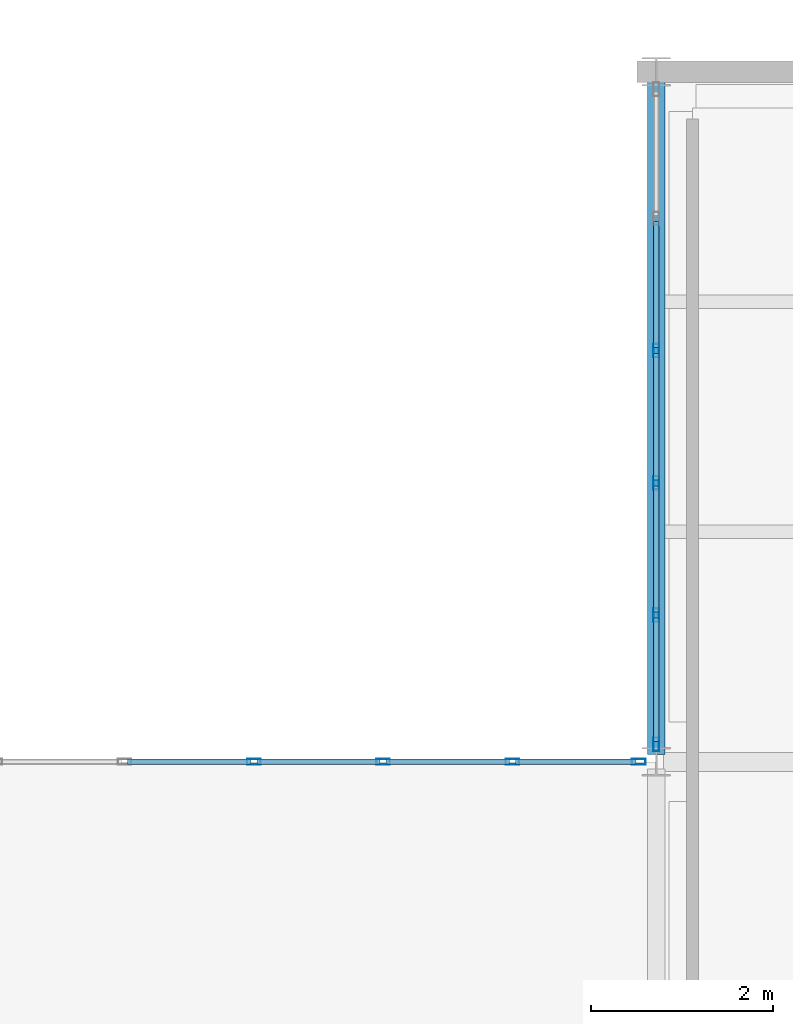
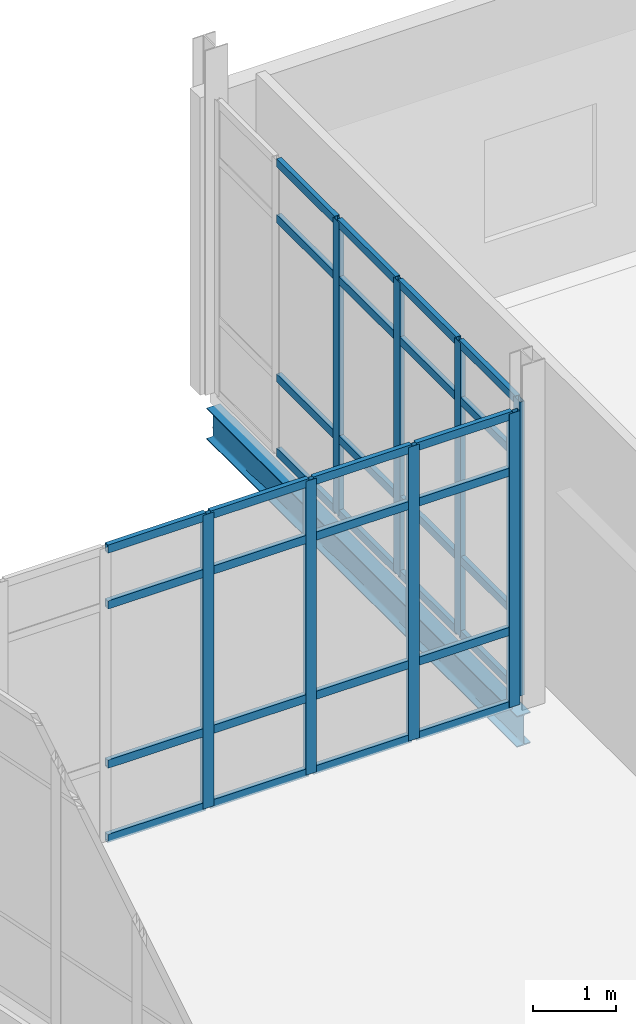
# One storey, part 99 of 161: 40 members, 1 beam, 2 elements without a shape of their own.
"""IFC4 building model written with IfcOpenShell, lengths in metres."""

from ifc_helpers import new_model, si_unit, direction, frame, origin, origin_2d, place, context, subcontext, project, spatial, hollow_rectangle, i_section, extrude, material, material_profile, profile_set, type_object, element, aggregate, save


model = new_model("IFC4")

# Units and contexts
model_context = context("Model", 3, precision=1e-05, world=origin(), true_north=direction((0.0, 1.0)))
body_context = subcontext(model_context, "Body", "Model", "MODEL_VIEW")
ifc_project = project(units=[si_unit("LENGTHUNIT", "METRE"), si_unit("AREAUNIT", "SQUARE_METRE"), si_unit("VOLUMEUNIT", "CUBIC_METRE"), si_unit("PLANEANGLEUNIT", "RADIAN"), si_unit("MASSUNIT", "GRAM", prefix="KILO")], contexts=[model_context])

# Site, building, storey
site_placement = place(None, origin())
site = spatial("IfcSite", under=ifc_project, at=site_placement, CompositionType="ELEMENT")
building_placement = place(site_placement, origin())
building = spatial("IfcBuilding", under=site, at=building_placement, Name="Caisbarro Railhouse Central Library", CompositionType="ELEMENT")
storey_placement = place(building_placement, origin())
storey = spatial("IfcBuildingStorey", under=building, at=storey_placement, Name="L00", CompositionType="ELEMENT", Elevation=0.0)

# Beam
ifc_material_1 = material(Name="Steel ASTM A572 Grade 50", Category="steel")
ifc_material_profile_1 = material_profile(ifc_material_1, i_section(OverallWidth=0.18994140625, OverallDepth=0.45703125, WebThickness=0.009033203125, FlangeThickness=0.014404296875, FilletRadius=0.01806640625, at=origin_2d()), Name="W460X74.0")
ifc_profile_set_1 = profile_set([ifc_material_profile_1], Name="Steel ASTM A572 Grade 50")
beam_type = type_object("IfcBeamType", Name="BM-G08", PredefinedType="BEAM", material=ifc_profile_set_1)
beam_placement = place(storey_placement, frame((117.0, 106.47998046875, -0.478515625), z_axis=(0.0, 1.0, 0.0), x_axis=(-1.0, 0.0, 0.0)))
element("IfcBeam", 1, at=beam_placement, inside=storey, type_object=beam_type, Name="G08 beam L00 #528", PredefinedType="BEAM", context=body_context, shape_type="SweptSolid", body=[
    extrude(i_section(OverallWidth=0.18994140625, OverallDepth=0.45703125, WebThickness=0.009033203125, FlangeThickness=0.014404296875, FilletRadius=0.01806640625, at=origin_2d()), origin(), (0.0, 0.0, 1.0), 7.43994140625),
])

# Curtain wall, members
ifc_material_2 = material(Name="Anodised architectural aluminium", Category="aluminium")
curtain_wall_type = type_object("IfcCurtainWallType", Name="CW-CW03", PredefinedType="NOTDEFINED", material=ifc_material_2)
curtain_wall_1_placement = place(storey_placement, origin())
curtain_wall_1 = element("IfcCurtainWall", 2, at=curtain_wall_1_placement, inside=storey, type_object=curtain_wall_type, Name="CW03 curtain wall L00 #101", PredefinedType="NOTDEFINED")
ifc_material_profile_2 = material_profile(ifc_material_2, hollow_rectangle(XDim=0.06494140625, YDim=0.14990234375, WallThickness=0.00390625, at=origin_2d()), Name="ALU-MUL-65X150")
ifc_profile_set_2 = profile_set([ifc_material_profile_2], Name="Anodised architectural aluminium")
member_type_1 = type_object("IfcMemberType", Name="CWM-M02", PredefinedType="MULLION", material=ifc_profile_set_2)
member_1_placement = place(storey_placement, frame((112.568115234375, 106.39990234375, 0.0), z_axis=(0.0, 0.0, 1.0), x_axis=(0.0, 1.0, 0.0)))
member_1 = element("IfcMember", 3, at=member_1_placement, type_object=member_type_1, Name="CW03 mullion 4", PredefinedType="MULLION", context=body_context, shape_type="SweptSolid", body=[
    extrude(hollow_rectangle(XDim=0.06494140625, YDim=0.14990234375, WallThickness=0.00390625, at=origin_2d()), origin(), (0.0, 0.0, 1.0), 4.300048828125),
])
member_2_placement = place(storey_placement, frame((113.991943359375, 106.39990234375, 0.0), z_axis=(0.0, 0.0, 1.0), x_axis=(0.0, 1.0, 0.0)))
member_2 = element("IfcMember", 4, at=member_2_placement, type_object=member_type_1, Name="CW03 mullion 5", PredefinedType="MULLION", context=body_context, shape_type="SweptSolid", body=[
    extrude(hollow_rectangle(XDim=0.06494140625, YDim=0.14990234375, WallThickness=0.00390625, at=origin_2d()), origin(), (0.0, 0.0, 1.0), 4.300048828125),
])
member_3_placement = place(storey_placement, frame((115.416015625, 106.39990234375, 0.0), z_axis=(0.0, 0.0, 1.0), x_axis=(0.0, 1.0, 0.0)))
member_3 = element("IfcMember", 5, at=member_3_placement, type_object=member_type_1, Name="CW03 mullion 6", PredefinedType="MULLION", context=body_context, shape_type="SweptSolid", body=[
    extrude(hollow_rectangle(XDim=0.06494140625, YDim=0.14990234375, WallThickness=0.00390625, at=origin_2d()), origin(), (0.0, 0.0, 1.0), 4.300048828125),
])
member_4_placement = place(storey_placement, frame((116.8076171875, 106.39990234375, 0.0), z_axis=(0.0, 0.0, 1.0), x_axis=(0.0, 1.0, 0.0)))
member_4 = element("IfcMember", 6, at=member_4_placement, type_object=member_type_1, Name="CW03 mullion 7", PredefinedType="MULLION", context=body_context, shape_type="SweptSolid", body=[
    extrude(hollow_rectangle(XDim=0.06494140625, YDim=0.14990234375, WallThickness=0.00390625, at=origin_2d()), origin(), (0.0, 0.0, 1.0), 4.300048828125),
])

curtain_wall_2_placement = place(storey_placement, origin())
curtain_wall_2 = element("IfcCurtainWall", 7, at=curtain_wall_2_placement, inside=storey, type_object=curtain_wall_type, Name="CW03 curtain wall L00 #102", PredefinedType="NOTDEFINED")
member_5_placement = place(storey_placement, frame((117.0, 106.592529296875, 0.0), z_axis=(0.0, 0.0, 1.0), x_axis=(-1.0, 0.0, 0.0)))
member_5 = element("IfcMember", 8, at=member_5_placement, type_object=member_type_1, Name="CW03 mullion 1", PredefinedType="MULLION", context=body_context, shape_type="SweptSolid", body=[
    extrude(hollow_rectangle(XDim=0.06494140625, YDim=0.14990234375, WallThickness=0.00390625, at=origin_2d()), origin(), (0.0, 0.0, 1.0), 4.300048828125),
])
member_6_placement = place(storey_placement, frame((117.0, 108.01611328125, 0.0), z_axis=(0.0, 0.0, 1.0), x_axis=(-1.0, 0.0, 0.0)))
member_6 = element("IfcMember", 9, at=member_6_placement, type_object=member_type_1, Name="CW03 mullion 2", PredefinedType="MULLION", context=body_context, shape_type="SweptSolid", body=[
    extrude(hollow_rectangle(XDim=0.06494140625, YDim=0.14990234375, WallThickness=0.00390625, at=origin_2d()), origin(), (0.0, 0.0, 1.0), 4.300048828125),
])
member_7_placement = place(storey_placement, frame((117.0, 109.471923828125, 0.0), z_axis=(0.0, 0.0, 1.0), x_axis=(-1.0, 0.0, 0.0)))
member_7 = element("IfcMember", 10, at=member_7_placement, type_object=member_type_1, Name="CW03 mullion 3", PredefinedType="MULLION", context=body_context, shape_type="SweptSolid", body=[
    extrude(hollow_rectangle(XDim=0.06494140625, YDim=0.14990234375, WallThickness=0.00390625, at=origin_2d()), origin(), (0.0, 0.0, 1.0), 4.300048828125),
])
member_8_placement = place(storey_placement, frame((117.0, 110.927978515625, 0.0), z_axis=(0.0, 0.0, 1.0), x_axis=(-1.0, 0.0, 0.0)))
member_8 = element("IfcMember", 11, at=member_8_placement, type_object=member_type_1, Name="CW03 mullion 4", PredefinedType="MULLION", context=body_context, shape_type="SweptSolid", body=[
    extrude(hollow_rectangle(XDim=0.06494140625, YDim=0.14990234375, WallThickness=0.00390625, at=origin_2d()), origin(), (0.0, 0.0, 1.0), 4.300048828125),
])

# Member
ifc_material_profile_3 = material_profile(ifc_material_2, hollow_rectangle(XDim=0.06494140625, YDim=0.1201171875, WallThickness=0.00341796875, at=origin_2d()), Name="ALU-TRN-65X120")
ifc_profile_set_3 = profile_set([ifc_material_profile_3], Name="Anodised architectural aluminium")
member_type_2 = type_object("IfcMemberType", Name="CWT-T02", PredefinedType="USERDEFINED", material=ifc_profile_set_3)
member_9_placement = place(storey_placement, frame((111.176513671875, 106.39990234375, 0.032470703125), z_axis=(1.0, 0.0, 0.0), x_axis=(0.0, 1.0, 0.0)))
member_9 = element("IfcMember", 12, at=member_9_placement, type_object=member_type_2, Name="CW03 transom 3.1", ObjectType="TRANSOM", PredefinedType="USERDEFINED", context=body_context, shape_type="SweptSolid", body=[
    extrude(hollow_rectangle(XDim=0.06494140625, YDim=0.1201171875, WallThickness=0.00341796875, at=origin_2d()), origin(), (0.0, 0.0, 1.0), 1.35888671875),
])

member_10_placement = place(storey_placement, frame((111.176513671875, 106.39990234375, 1.1201171875), z_axis=(1.0, 0.0, 0.0), x_axis=(0.0, 1.0, 0.0)))
member_10 = element("IfcMember", 13, at=member_10_placement, type_object=member_type_2, Name="CW03 transom 3.2", ObjectType="TRANSOM", PredefinedType="USERDEFINED", context=body_context, shape_type="SweptSolid", body=[
    extrude(hollow_rectangle(XDim=0.06494140625, YDim=0.1201171875, WallThickness=0.00341796875, at=origin_2d()), origin(), (0.0, 0.0, 1.0), 1.35888671875),
])

member_11_placement = place(storey_placement, frame((111.176513671875, 106.39990234375, 3.449951171875), z_axis=(1.0, 0.0, 0.0), x_axis=(0.0, 1.0, 0.0)))
member_11 = element("IfcMember", 14, at=member_11_placement, type_object=member_type_2, Name="CW03 transom 3.3", ObjectType="TRANSOM", PredefinedType="USERDEFINED", context=body_context, shape_type="SweptSolid", body=[
    extrude(hollow_rectangle(XDim=0.06494140625, YDim=0.1201171875, WallThickness=0.00341796875, at=origin_2d()), origin(), (0.0, 0.0, 1.0), 1.35888671875),
])

member_12_placement = place(storey_placement, frame((111.176513671875, 106.39990234375, 4.267578125), z_axis=(1.0, 0.0, 0.0), x_axis=(0.0, 1.0, 0.0)))
member_12 = element("IfcMember", 15, at=member_12_placement, type_object=member_type_2, Name="CW03 transom 3.4", ObjectType="TRANSOM", PredefinedType="USERDEFINED", context=body_context, shape_type="SweptSolid", body=[
    extrude(hollow_rectangle(XDim=0.06494140625, YDim=0.1201171875, WallThickness=0.00341796875, at=origin_2d()), origin(), (0.0, 0.0, 1.0), 1.35888671875),
])

member_13_placement = place(storey_placement, frame((112.6005859375, 106.39990234375, 0.032470703125), z_axis=(1.0, 0.0, 0.0), x_axis=(0.0, 1.0, 0.0)))
member_13 = element("IfcMember", 16, at=member_13_placement, type_object=member_type_2, Name="CW03 transom 4.1", ObjectType="TRANSOM", PredefinedType="USERDEFINED", context=body_context, shape_type="SweptSolid", body=[
    extrude(hollow_rectangle(XDim=0.06494140625, YDim=0.1201171875, WallThickness=0.00341796875, at=origin_2d()), origin(), (0.0, 0.0, 1.0), 1.35888671875),
])

member_14_placement = place(storey_placement, frame((112.6005859375, 106.39990234375, 1.1201171875), z_axis=(1.0, 0.0, 0.0), x_axis=(0.0, 1.0, 0.0)))
member_14 = element("IfcMember", 17, at=member_14_placement, type_object=member_type_2, Name="CW03 transom 4.2", ObjectType="TRANSOM", PredefinedType="USERDEFINED", context=body_context, shape_type="SweptSolid", body=[
    extrude(hollow_rectangle(XDim=0.06494140625, YDim=0.1201171875, WallThickness=0.00341796875, at=origin_2d()), origin(), (0.0, 0.0, 1.0), 1.35888671875),
])

member_15_placement = place(storey_placement, frame((112.6005859375, 106.39990234375, 3.449951171875), z_axis=(1.0, 0.0, 0.0), x_axis=(0.0, 1.0, 0.0)))
member_15 = element("IfcMember", 18, at=member_15_placement, type_object=member_type_2, Name="CW03 transom 4.3", ObjectType="TRANSOM", PredefinedType="USERDEFINED", context=body_context, shape_type="SweptSolid", body=[
    extrude(hollow_rectangle(XDim=0.06494140625, YDim=0.1201171875, WallThickness=0.00341796875, at=origin_2d()), origin(), (0.0, 0.0, 1.0), 1.35888671875),
])

member_16_placement = place(storey_placement, frame((112.6005859375, 106.39990234375, 4.267578125), z_axis=(1.0, 0.0, 0.0), x_axis=(0.0, 1.0, 0.0)))
member_16 = element("IfcMember", 19, at=member_16_placement, type_object=member_type_2, Name="CW03 transom 4.4", ObjectType="TRANSOM", PredefinedType="USERDEFINED", context=body_context, shape_type="SweptSolid", body=[
    extrude(hollow_rectangle(XDim=0.06494140625, YDim=0.1201171875, WallThickness=0.00341796875, at=origin_2d()), origin(), (0.0, 0.0, 1.0), 1.35888671875),
])

member_17_placement = place(storey_placement, frame((114.0244140625, 106.39990234375, 0.032470703125), z_axis=(1.0, 0.0, 0.0), x_axis=(0.0, 1.0, 0.0)))
member_17 = element("IfcMember", 20, at=member_17_placement, type_object=member_type_2, Name="CW03 transom 5.1", ObjectType="TRANSOM", PredefinedType="USERDEFINED", context=body_context, shape_type="SweptSolid", body=[
    extrude(hollow_rectangle(XDim=0.06494140625, YDim=0.1201171875, WallThickness=0.00341796875, at=origin_2d()), origin(), (0.0, 0.0, 1.0), 1.359130859375),
])

member_18_placement = place(storey_placement, frame((114.0244140625, 106.39990234375, 1.1201171875), z_axis=(1.0, 0.0, 0.0), x_axis=(0.0, 1.0, 0.0)))
member_18 = element("IfcMember", 21, at=member_18_placement, type_object=member_type_2, Name="CW03 transom 5.2", ObjectType="TRANSOM", PredefinedType="USERDEFINED", context=body_context, shape_type="SweptSolid", body=[
    extrude(hollow_rectangle(XDim=0.06494140625, YDim=0.1201171875, WallThickness=0.00341796875, at=origin_2d()), origin(), (0.0, 0.0, 1.0), 1.359130859375),
])

member_19_placement = place(storey_placement, frame((114.0244140625, 106.39990234375, 3.449951171875), z_axis=(1.0, 0.0, 0.0), x_axis=(0.0, 1.0, 0.0)))
member_19 = element("IfcMember", 22, at=member_19_placement, type_object=member_type_2, Name="CW03 transom 5.3", ObjectType="TRANSOM", PredefinedType="USERDEFINED", context=body_context, shape_type="SweptSolid", body=[
    extrude(hollow_rectangle(XDim=0.06494140625, YDim=0.1201171875, WallThickness=0.00341796875, at=origin_2d()), origin(), (0.0, 0.0, 1.0), 1.359130859375),
])

member_20_placement = place(storey_placement, frame((114.0244140625, 106.39990234375, 4.267578125), z_axis=(1.0, 0.0, 0.0), x_axis=(0.0, 1.0, 0.0)))
member_20 = element("IfcMember", 23, at=member_20_placement, type_object=member_type_2, Name="CW03 transom 5.4", ObjectType="TRANSOM", PredefinedType="USERDEFINED", context=body_context, shape_type="SweptSolid", body=[
    extrude(hollow_rectangle(XDim=0.06494140625, YDim=0.1201171875, WallThickness=0.00341796875, at=origin_2d()), origin(), (0.0, 0.0, 1.0), 1.359130859375),
])

member_21_placement = place(storey_placement, frame((115.448486328125, 106.39990234375, 0.032470703125), z_axis=(1.0, 0.0, 0.0), x_axis=(0.0, 1.0, 0.0)))
member_21 = element("IfcMember", 24, at=member_21_placement, type_object=member_type_2, Name="CW03 transom 6.1", ObjectType="TRANSOM", PredefinedType="USERDEFINED", context=body_context, shape_type="SweptSolid", body=[
    extrude(hollow_rectangle(XDim=0.06494140625, YDim=0.1201171875, WallThickness=0.00341796875, at=origin_2d()), origin(), (0.0, 0.0, 1.0), 1.326416015625),
])

member_22_placement = place(storey_placement, frame((115.448486328125, 106.39990234375, 1.1201171875), z_axis=(1.0, 0.0, 0.0), x_axis=(0.0, 1.0, 0.0)))
member_22 = element("IfcMember", 25, at=member_22_placement, type_object=member_type_2, Name="CW03 transom 6.2", ObjectType="TRANSOM", PredefinedType="USERDEFINED", context=body_context, shape_type="SweptSolid", body=[
    extrude(hollow_rectangle(XDim=0.06494140625, YDim=0.1201171875, WallThickness=0.00341796875, at=origin_2d()), origin(), (0.0, 0.0, 1.0), 1.326416015625),
])

member_23_placement = place(storey_placement, frame((115.448486328125, 106.39990234375, 3.449951171875), z_axis=(1.0, 0.0, 0.0), x_axis=(0.0, 1.0, 0.0)))
member_23 = element("IfcMember", 26, at=member_23_placement, type_object=member_type_2, Name="CW03 transom 6.3", ObjectType="TRANSOM", PredefinedType="USERDEFINED", context=body_context, shape_type="SweptSolid", body=[
    extrude(hollow_rectangle(XDim=0.06494140625, YDim=0.1201171875, WallThickness=0.00341796875, at=origin_2d()), origin(), (0.0, 0.0, 1.0), 1.326416015625),
])

member_24_placement = place(storey_placement, frame((115.448486328125, 106.39990234375, 4.267578125), z_axis=(1.0, 0.0, 0.0), x_axis=(0.0, 1.0, 0.0)))
member_24 = element("IfcMember", 27, at=member_24_placement, type_object=member_type_2, Name="CW03 transom 6.4", ObjectType="TRANSOM", PredefinedType="USERDEFINED", context=body_context, shape_type="SweptSolid", body=[
    extrude(hollow_rectangle(XDim=0.06494140625, YDim=0.1201171875, WallThickness=0.00341796875, at=origin_2d()), origin(), (0.0, 0.0, 1.0), 1.326416015625),
])

aggregate(curtain_wall_1, [member_1, member_2, member_3, member_4, member_9, member_10, member_11, member_12, member_13, member_14, member_15, member_16, member_17, member_18, member_19, member_20, member_21, member_22, member_23, member_24])

member_25_placement = place(storey_placement, frame((117.0, 106.625, 0.032470703125), z_axis=(0.0, 1.0, 0.0), x_axis=(-1.0, 0.0, 0.0)))
member_25 = element("IfcMember", 28, at=member_25_placement, type_object=member_type_2, Name="CW03 transom 1.1", ObjectType="TRANSOM", PredefinedType="USERDEFINED", context=body_context, shape_type="SweptSolid", body=[
    extrude(hollow_rectangle(XDim=0.06494140625, YDim=0.1201171875, WallThickness=0.00341796875, at=origin_2d()), origin(), (0.0, 0.0, 1.0), 1.3583984375),
])

member_26_placement = place(storey_placement, frame((117.0, 106.625, 1.1201171875), z_axis=(0.0, 1.0, 0.0), x_axis=(-1.0, 0.0, 0.0)))
member_26 = element("IfcMember", 29, at=member_26_placement, type_object=member_type_2, Name="CW03 transom 1.2", ObjectType="TRANSOM", PredefinedType="USERDEFINED", context=body_context, shape_type="SweptSolid", body=[
    extrude(hollow_rectangle(XDim=0.06494140625, YDim=0.1201171875, WallThickness=0.00341796875, at=origin_2d()), origin(), (0.0, 0.0, 1.0), 1.3583984375),
])

member_27_placement = place(storey_placement, frame((117.0, 106.625, 3.449951171875), z_axis=(0.0, 1.0, 0.0), x_axis=(-1.0, 0.0, 0.0)))
member_27 = element("IfcMember", 30, at=member_27_placement, type_object=member_type_2, Name="CW03 transom 1.3", ObjectType="TRANSOM", PredefinedType="USERDEFINED", context=body_context, shape_type="SweptSolid", body=[
    extrude(hollow_rectangle(XDim=0.06494140625, YDim=0.1201171875, WallThickness=0.00341796875, at=origin_2d()), origin(), (0.0, 0.0, 1.0), 1.3583984375),
])

member_28_placement = place(storey_placement, frame((117.0, 106.625, 4.267578125), z_axis=(0.0, 1.0, 0.0), x_axis=(-1.0, 0.0, 0.0)))
member_28 = element("IfcMember", 31, at=member_28_placement, type_object=member_type_2, Name="CW03 transom 1.4", ObjectType="TRANSOM", PredefinedType="USERDEFINED", context=body_context, shape_type="SweptSolid", body=[
    extrude(hollow_rectangle(XDim=0.06494140625, YDim=0.1201171875, WallThickness=0.00341796875, at=origin_2d()), origin(), (0.0, 0.0, 1.0), 1.3583984375),
])

member_29_placement = place(storey_placement, frame((117.0, 108.048583984375, 0.032470703125), z_axis=(0.0, 1.0, 0.0), x_axis=(-1.0, 0.0, 0.0)))
member_29 = element("IfcMember", 32, at=member_29_placement, type_object=member_type_2, Name="CW03 transom 2.1", ObjectType="TRANSOM", PredefinedType="USERDEFINED", context=body_context, shape_type="SweptSolid", body=[
    extrude(hollow_rectangle(XDim=0.06494140625, YDim=0.1201171875, WallThickness=0.00341796875, at=origin_2d()), origin(), (0.0, 0.0, 1.0), 1.390869140625),
])

member_30_placement = place(storey_placement, frame((117.0, 108.048583984375, 1.1201171875), z_axis=(0.0, 1.0, 0.0), x_axis=(-1.0, 0.0, 0.0)))
member_30 = element("IfcMember", 33, at=member_30_placement, type_object=member_type_2, Name="CW03 transom 2.2", ObjectType="TRANSOM", PredefinedType="USERDEFINED", context=body_context, shape_type="SweptSolid", body=[
    extrude(hollow_rectangle(XDim=0.06494140625, YDim=0.1201171875, WallThickness=0.00341796875, at=origin_2d()), origin(), (0.0, 0.0, 1.0), 1.390869140625),
])

member_31_placement = place(storey_placement, frame((117.0, 108.048583984375, 3.449951171875), z_axis=(0.0, 1.0, 0.0), x_axis=(-1.0, 0.0, 0.0)))
member_31 = element("IfcMember", 34, at=member_31_placement, type_object=member_type_2, Name="CW03 transom 2.3", ObjectType="TRANSOM", PredefinedType="USERDEFINED", context=body_context, shape_type="SweptSolid", body=[
    extrude(hollow_rectangle(XDim=0.06494140625, YDim=0.1201171875, WallThickness=0.00341796875, at=origin_2d()), origin(), (0.0, 0.0, 1.0), 1.390869140625),
])

member_32_placement = place(storey_placement, frame((117.0, 108.048583984375, 4.267578125), z_axis=(0.0, 1.0, 0.0), x_axis=(-1.0, 0.0, 0.0)))
member_32 = element("IfcMember", 35, at=member_32_placement, type_object=member_type_2, Name="CW03 transom 2.4", ObjectType="TRANSOM", PredefinedType="USERDEFINED", context=body_context, shape_type="SweptSolid", body=[
    extrude(hollow_rectangle(XDim=0.06494140625, YDim=0.1201171875, WallThickness=0.00341796875, at=origin_2d()), origin(), (0.0, 0.0, 1.0), 1.390869140625),
])

member_33_placement = place(storey_placement, frame((117.0, 109.50439453125, 0.032470703125), z_axis=(0.0, 1.0, 0.0), x_axis=(-1.0, 0.0, 0.0)))
member_33 = element("IfcMember", 36, at=member_33_placement, type_object=member_type_2, Name="CW03 transom 3.1", ObjectType="TRANSOM", PredefinedType="USERDEFINED", context=body_context, shape_type="SweptSolid", body=[
    extrude(hollow_rectangle(XDim=0.06494140625, YDim=0.1201171875, WallThickness=0.00341796875, at=origin_2d()), origin(), (0.0, 0.0, 1.0), 1.39111328125),
])

member_34_placement = place(storey_placement, frame((117.0, 109.50439453125, 1.1201171875), z_axis=(0.0, 1.0, 0.0), x_axis=(-1.0, 0.0, 0.0)))
member_34 = element("IfcMember", 37, at=member_34_placement, type_object=member_type_2, Name="CW03 transom 3.2", ObjectType="TRANSOM", PredefinedType="USERDEFINED", context=body_context, shape_type="SweptSolid", body=[
    extrude(hollow_rectangle(XDim=0.06494140625, YDim=0.1201171875, WallThickness=0.00341796875, at=origin_2d()), origin(), (0.0, 0.0, 1.0), 1.39111328125),
])

member_35_placement = place(storey_placement, frame((117.0, 109.50439453125, 3.449951171875), z_axis=(0.0, 1.0, 0.0), x_axis=(-1.0, 0.0, 0.0)))
member_35 = element("IfcMember", 38, at=member_35_placement, type_object=member_type_2, Name="CW03 transom 3.3", ObjectType="TRANSOM", PredefinedType="USERDEFINED", context=body_context, shape_type="SweptSolid", body=[
    extrude(hollow_rectangle(XDim=0.06494140625, YDim=0.1201171875, WallThickness=0.00341796875, at=origin_2d()), origin(), (0.0, 0.0, 1.0), 1.39111328125),
])

member_36_placement = place(storey_placement, frame((117.0, 109.50439453125, 4.267578125), z_axis=(0.0, 1.0, 0.0), x_axis=(-1.0, 0.0, 0.0)))
member_36 = element("IfcMember", 39, at=member_36_placement, type_object=member_type_2, Name="CW03 transom 3.4", ObjectType="TRANSOM", PredefinedType="USERDEFINED", context=body_context, shape_type="SweptSolid", body=[
    extrude(hollow_rectangle(XDim=0.06494140625, YDim=0.1201171875, WallThickness=0.00341796875, at=origin_2d()), origin(), (0.0, 0.0, 1.0), 1.39111328125),
])

member_37_placement = place(storey_placement, frame((117.0, 110.96044921875, 0.032470703125), z_axis=(0.0, 1.0, 0.0), x_axis=(-1.0, 0.0, 0.0)))
member_37 = element("IfcMember", 40, at=member_37_placement, type_object=member_type_2, Name="CW03 transom 4.1", ObjectType="TRANSOM", PredefinedType="USERDEFINED", context=body_context, shape_type="SweptSolid", body=[
    extrude(hollow_rectangle(XDim=0.06494140625, YDim=0.1201171875, WallThickness=0.00341796875, at=origin_2d()), origin(), (0.0, 0.0, 1.0), 1.39111328125),
])

member_38_placement = place(storey_placement, frame((117.0, 110.96044921875, 1.1201171875), z_axis=(0.0, 1.0, 0.0), x_axis=(-1.0, 0.0, 0.0)))
member_38 = element("IfcMember", 41, at=member_38_placement, type_object=member_type_2, Name="CW03 transom 4.2", ObjectType="TRANSOM", PredefinedType="USERDEFINED", context=body_context, shape_type="SweptSolid", body=[
    extrude(hollow_rectangle(XDim=0.06494140625, YDim=0.1201171875, WallThickness=0.00341796875, at=origin_2d()), origin(), (0.0, 0.0, 1.0), 1.39111328125),
])

member_39_placement = place(storey_placement, frame((117.0, 110.96044921875, 3.449951171875), z_axis=(0.0, 1.0, 0.0), x_axis=(-1.0, 0.0, 0.0)))
member_39 = element("IfcMember", 42, at=member_39_placement, type_object=member_type_2, Name="CW03 transom 4.3", ObjectType="TRANSOM", PredefinedType="USERDEFINED", context=body_context, shape_type="SweptSolid", body=[
    extrude(hollow_rectangle(XDim=0.06494140625, YDim=0.1201171875, WallThickness=0.00341796875, at=origin_2d()), origin(), (0.0, 0.0, 1.0), 1.39111328125),
])

member_40_placement = place(storey_placement, frame((117.0, 110.96044921875, 4.267578125), z_axis=(0.0, 1.0, 0.0), x_axis=(-1.0, 0.0, 0.0)))
member_40 = element("IfcMember", 43, at=member_40_placement, type_object=member_type_2, Name="CW03 transom 4.4", ObjectType="TRANSOM", PredefinedType="USERDEFINED", context=body_context, shape_type="SweptSolid", body=[
    extrude(hollow_rectangle(XDim=0.06494140625, YDim=0.1201171875, WallThickness=0.00341796875, at=origin_2d()), origin(), (0.0, 0.0, 1.0), 1.39111328125),
])

aggregate(curtain_wall_2, [member_5, member_6, member_7, member_8, member_25, member_26, member_27, member_28, member_29, member_30, member_31, member_32, member_33, member_34, member_35, member_36, member_37, member_38, member_39, member_40])

save(model, "model.ifc")
